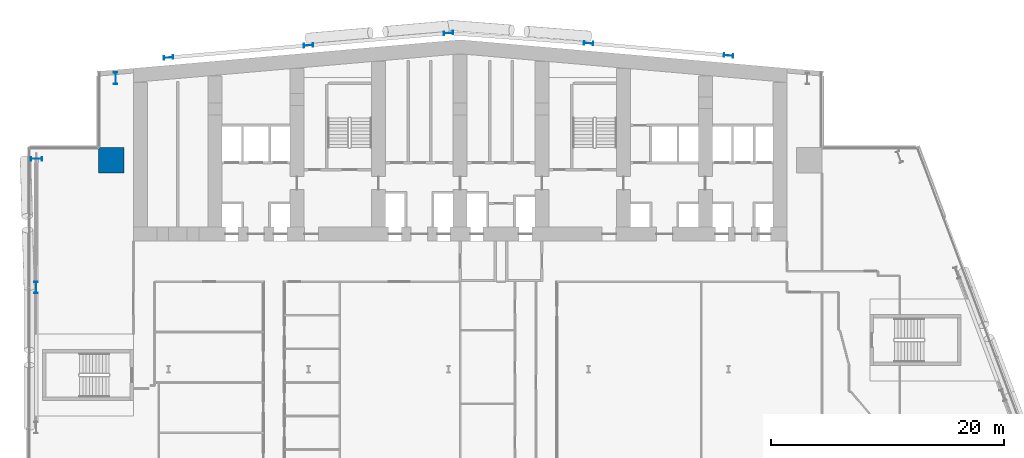
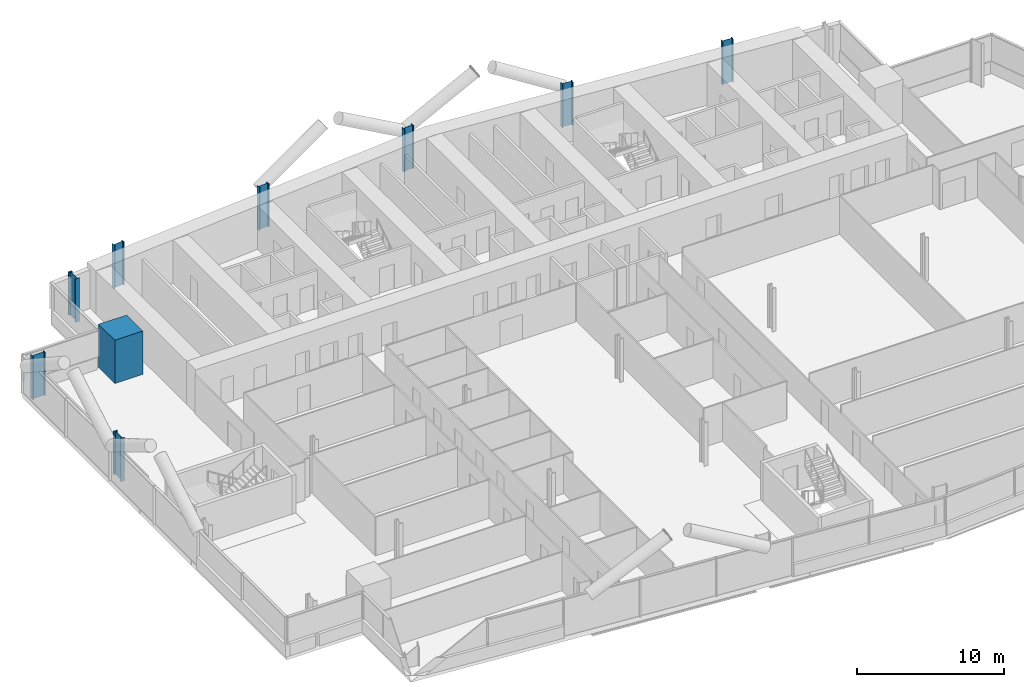
# One storey, part 2 of 27: 9 columns.
"""IFC4 building model written with IfcOpenShell, lengths in metres."""

from ifc_helpers import new_model, si_unit, direction, frame, origin, origin_2d, place, context, subcontext, project, spatial, rectangle, i_section, extrude, material, material_profile, profile_set, type_object, element, save


model = new_model("IFC4")

# Units and contexts
model_context = context("Model", 3, precision=1e-05, world=origin(), true_north=direction((0.0, 1.0)))
body_context = subcontext(model_context, "Body", "Model", "MODEL_VIEW")
ifc_project = project(units=[si_unit("LENGTHUNIT", "METRE"), si_unit("AREAUNIT", "SQUARE_METRE"), si_unit("VOLUMEUNIT", "CUBIC_METRE"), si_unit("PLANEANGLEUNIT", "RADIAN"), si_unit("MASSUNIT", "GRAM", prefix="KILO")], contexts=[model_context])

# Site, building, storey
site_placement = place(None, origin())
site = spatial("IfcSite", under=ifc_project, at=site_placement, CompositionType="ELEMENT")
building_placement = place(site_placement, origin())
building = spatial("IfcBuilding", under=site, at=building_placement, Name="Wharfspan Tower", CompositionType="ELEMENT")
storey_placement = place(building_placement, frame((0.0, 0.0, 73.899902)))
storey = spatial("IfcBuildingStorey", under=building, at=storey_placement, Name="L15", CompositionType="ELEMENT", Elevation=73.899902)

# Columns
ifc_material_1 = material(Name="Steel S355J2", Category="steel")
ifc_material_profile_1 = material_profile(ifc_material_1, i_section(OverallWidth=0.302002, OverallDepth=1.008057, WebThickness=0.020996, FlangeThickness=0.040039, FilletRadius=0.030029, at=origin_2d()))
ifc_profile_set_1 = profile_set([ifc_material_profile_1], Name="Steel S355J2")
column_type_1 = type_object("IfcColumnType", Name="Column HEM 1000", PredefinedType="COLUMN", material=ifc_profile_set_1)
for number, where, z_axis, x_axis, name in (
    (1, (7.466553, 47.933594, 0.0), (0.0, 0.0, 1.0), (-1.0, 0.0, 0.0), "Perimeter column PNRW-V.1 L15"),
    (2, (0.684814, 41.03418, 0.0), (0.0, 0.0, 1.0), (0.0, 1.0, 0.0), "Perimeter column PNRW-H.1 L15"),
    (3, (0.659912, 30.0, 0.0), (0.0, 0.0, 1.0), (-1.0, 0.0, 0.0), "Perimeter column PW.1 L15"),
):
    element("IfcColumn", number, at=place(storey_placement, frame(where, z_axis=z_axis, x_axis=x_axis)), inside=storey, type_object=column_type_1, Name=name, PredefinedType="COLUMN", context=body_context, shape_type="SweptSolid", body=[
        extrude(i_section(OverallWidth=0.302002, OverallDepth=1.008057, WebThickness=0.020996, FlangeThickness=0.040039, FilletRadius=0.030029, at=origin_2d()), origin(), (0.0, 0.0, 1.0), 3.600098),
    ])
ifc_material_profile_2 = material_profile(ifc_material_1, i_section(OverallWidth=0.302979, OverallDepth=0.813965, WebThickness=0.020996, FlangeThickness=0.040039, FilletRadius=0.030029, at=origin_2d()))
ifc_profile_set_2 = profile_set([ifc_material_profile_2], Name="Steel S355J2")
column_type_2 = type_object("IfcColumnType", Name="Column HEM 800", PredefinedType="COLUMN", material=ifc_profile_set_2)
for number, where, z_axis, x_axis, name in (
    (4, (12.0, 49.709961, 0.0), (0.0, 0.0, 1.0), (-0.087156, 0.996197, 0.0), "Rear column R.1 L15"),
    (5, (24.0, 50.759766, 0.0), (0.0, 0.0, 1.0), (-0.087156, 0.996197, 0.0), "Rear column R.2 L15"),
    (6, (36.0, 51.80957, 0.0), (0.0, 0.0, 1.0), (-0.087156, 0.996197, 0.0), "Rear column R.3 L15"),
    (7, (48.0, 50.934814, 0.0), (0.0, 0.0, 1.0), (0.087156, 0.996197, 0.0), "Rear column R.4 L15"),
    (8, (60.0, 49.884766, 0.0), (0.0, 0.0, 1.0), (0.087156, 0.996197, 0.0), "Rear column R.5 L15"),
):
    element("IfcColumn", number, at=place(storey_placement, frame(where, z_axis=z_axis, x_axis=x_axis)), inside=storey, type_object=column_type_2, Name=name, PredefinedType="COLUMN", context=body_context, shape_type="SweptSolid", body=[
        extrude(i_section(OverallWidth=0.302979, OverallDepth=0.813965, WebThickness=0.020996, FlangeThickness=0.040039, FilletRadius=0.030029, at=origin_2d()), origin(), (0.0, 0.0, 1.0), 3.600098),
    ])
ifc_material_2 = material(Name="Concrete C70/85", Category="concrete")
ifc_material_profile_3 = material_profile(ifc_material_2, rectangle(XDim=2.199951, YDim=2.199951, at=origin_2d()))
ifc_profile_set_3 = profile_set([ifc_material_profile_3], Name="Concrete C70/85")
column_type_3 = type_object("IfcColumnType", Name="Mega column 2200 C70/85", PredefinedType="COLUMN", material=ifc_profile_set_3)
column_placement = place(storey_placement, frame((7.100098, 40.899902, 0.0), z_axis=(0.0, 0.0, 1.0), x_axis=(1.0, 0.0, 0.0)))
element("IfcColumn", 9, at=column_placement, inside=storey, type_object=column_type_3, Name="Mega column MC2 L15", PredefinedType="COLUMN", context=body_context, shape_type="SweptSolid", body=[
    extrude(rectangle(XDim=2.199951, YDim=2.199951, at=origin_2d()), origin(), (0.0, 0.0, 1.0), 3.600098),
])

save(model, "model.ifc")
